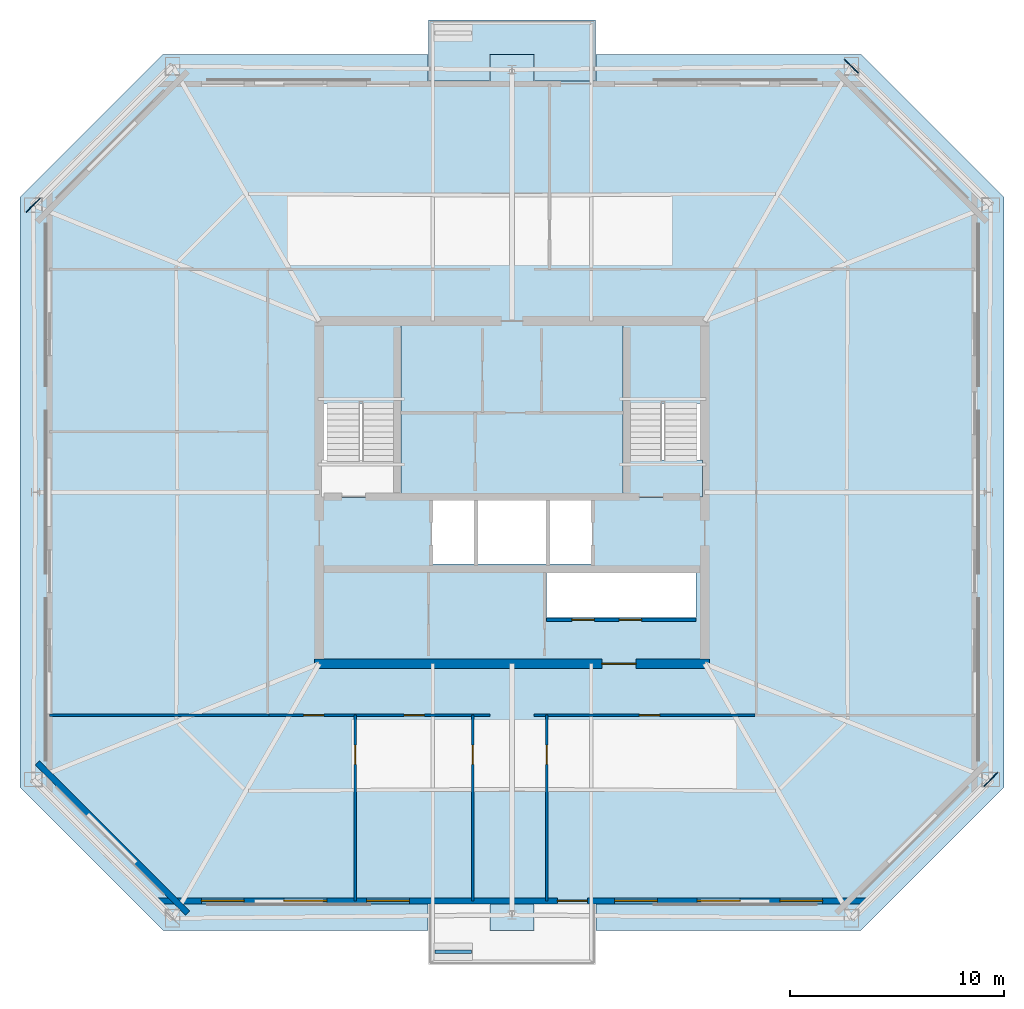
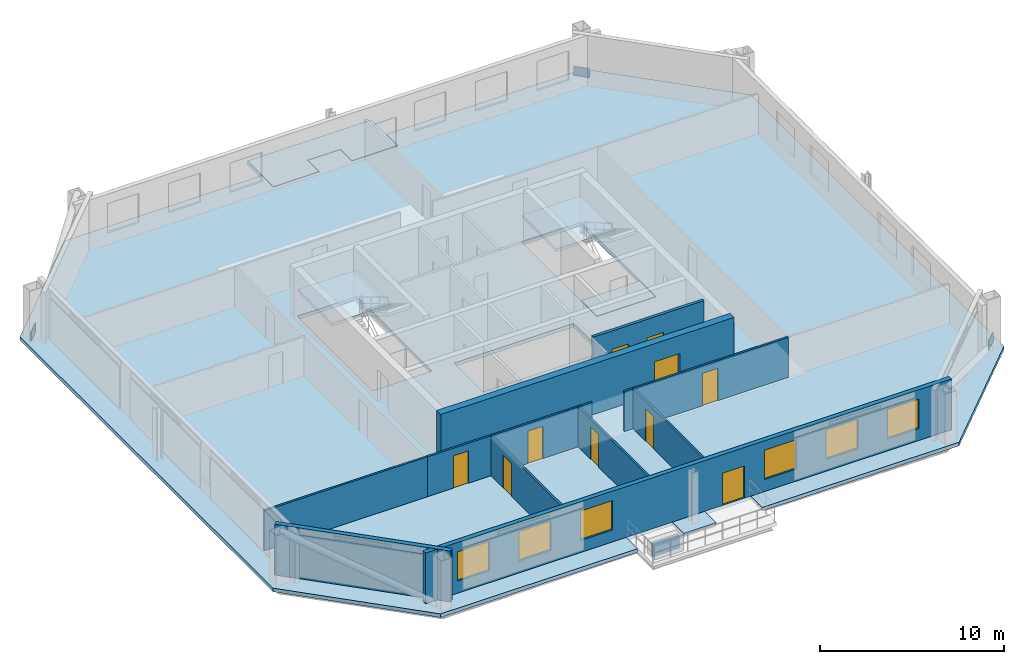
# One storey, part 2 of 7: 11 walls, 10 doors, 6 windows, 5 slabs, 3 plates, 16 openings, 2 elements without a shape of their own.
"""IFC4 building model written with IfcOpenShell, lengths in metres."""

from ifc_helpers import new_model, si_unit, direction, frame, frame_2d, origin, origin_2d, place, context, subcontext, project, spatial, polyline, rectangle, outline, extrude, material, layer, layer_set, type_object, element, fill, aggregate, save


model = new_model("IFC4")

# Units and contexts
model_context = context("Model", 3, precision=1e-05, world=origin(), true_north=direction((0.0, 1.0)))
body_context = subcontext(model_context, "Body", "Model", "MODEL_VIEW")
ifc_project = project(units=[si_unit("LENGTHUNIT", "METRE"), si_unit("AREAUNIT", "SQUARE_METRE"), si_unit("VOLUMEUNIT", "CUBIC_METRE"), si_unit("PLANEANGLEUNIT", "RADIAN"), si_unit("MASSUNIT", "GRAM", prefix="KILO")], contexts=[model_context])

# Site, building, storey
site_placement = place(None, origin())
site = spatial("IfcSite", under=ifc_project, at=site_placement, CompositionType="ELEMENT")
building_placement = place(site_placement, origin())
building = spatial("IfcBuilding", under=site, at=building_placement, Name="Caelvoria Tower", CompositionType="ELEMENT")
storey_placement = place(building_placement, frame((0.0, 0.0, 187.800048828125)))
storey = spatial("IfcBuildingStorey", under=building, at=storey_placement, Name="L49", CompositionType="ELEMENT", Elevation=187.800048828125)

# Plates
ifc_material_1 = material(Name="Structural Steel ASTM A572 Gr.50", Category="steel")
ifc_layer_1 = layer(ifc_material_1, 0.0400390625, Name="Structural Steel ASTM A572 Gr.50")
ifc_layer_set_1 = layer_set([ifc_layer_1], Name="Megaframe Node Gusset Plate 900x600x40 - Structural Steel ASTM A572 Gr.50")
plate_type = type_object("IfcPlateType", Name="Megaframe Node Gusset Plate 900x600x40", PredefinedType="USERDEFINED", material=ifc_layer_set_1)
for number, where, z_axis, x_axis, name in (
    (1, (68.362548828125, 18.59033203125, 0.02001953125), (0.0, 0.0, 1.0), (-0.708405129544, -0.705806044488, 0.0), "Chamfer Mega Brace Gusset L49 SE"),
    (2, (61.851318359375, 51.89697265625, 0.02001953125), (0.0, 0.0, 1.0), (0.708405129544, -0.705806044488, 0.0), "Chamfer Mega Brace Gusset L49 NE"),
    (3, (23.637451171875, 45.40966796875, 0.02001953125), (0.0, 0.0, 1.0), (0.708405129544, 0.705806044488, 0.0), "Chamfer Mega Brace Gusset L49 NW"),
):
    element("IfcPlate", number, at=place(storey_placement, frame(where, z_axis=z_axis, x_axis=x_axis)), inside=storey, type_object=plate_type, Name=name, ObjectType="GUSSET_PLATE", PredefinedType="USERDEFINED", context=body_context, shape_type="SweptSolid", body=[
        extrude(rectangle(XDim=0.89990234375, YDim=0.0400390625, at=origin_2d()), origin(), (0.0, 0.0, 1.0), 0.60009765625),
    ])

# Stair, slab
ifc_material_2 = material(Name="Concrete C40/50", Category="concrete")
stair_type = type_object("IfcStairType", Name="Core Smokeproof Dogleg Stair Concrete C40/50", PredefinedType="HALF_TURN_STAIR", material=ifc_material_2)
stair_1_placement = place(storey_placement, origin())
stair_1 = element("IfcStair", 4, at=stair_1_placement, inside=storey, type_object=stair_type, Name="ST-01 Smokeproof Exit Stair L49", PredefinedType="HALF_TURN_STAIR")
ifc_layer_2 = layer(ifc_material_2, 0.199951171875, Name="Concrete C40/50")
ifc_layer_set_2 = layer_set([ifc_layer_2], Name="Stair Half and Floor Landing Slab 200 Concrete C40/50 - Concrete C40/50")
slab_type_1 = type_object("IfcSlabType", Name="Stair Half and Floor Landing Slab 200 Concrete C40/50", PredefinedType="LANDING", material=ifc_layer_set_2)
slab_1_placement = place(storey_placement, frame((0.0, 0.0, 1.599853515625)))
slab_1 = element("IfcSlab", 5, at=slab_1_placement, type_object=slab_type_1, Name="ST-01 landing 2", PredefinedType="LANDING", context=body_context, shape_type="SweptSolid", body=[
    extrude(outline(polyline([(37.10009765625, 36.14990234375), (40.800048828125, 36.14990234375), (40.800048828125, 39.89990234375), (37.10009765625, 39.89990234375), (37.10009765625, 36.14990234375)])), origin(), (0.0, 0.0, 1.0), 0.2001953125),
])
aggregate(stair_1, [slab_1])

# Stair, slabs
stair_2_placement = place(storey_placement, origin())
stair_2 = element("IfcStair", 6, at=stair_2_placement, inside=storey, type_object=stair_type, Name="ST-02 Smokeproof Exit Stair L49", PredefinedType="HALF_TURN_STAIR")
slab_2_placement = place(storey_placement, frame((0.0, 0.0, -0.199951171875)))
slab_2 = element("IfcSlab", 7, at=slab_2_placement, type_object=slab_type_1, Name="ST-02 landing 1", PredefinedType="LANDING", context=body_context, shape_type="SweptSolid", body=[
    extrude(outline(polyline([(51.199951171875, 31.77001953125), (54.89990234375, 31.77001953125), (54.89990234375, 33.5), (51.199951171875, 33.5), (51.199951171875, 31.77001953125)])), origin(), (0.0, 0.0, 1.0), 0.199951171875),
])
slab_3_placement = place(storey_placement, frame((0.0, 0.0, 1.599853515625)))
slab_3 = element("IfcSlab", 8, at=slab_3_placement, type_object=slab_type_1, Name="ST-02 landing 2", PredefinedType="LANDING", context=body_context, shape_type="SweptSolid", body=[
    extrude(outline(polyline([(51.199951171875, 36.14990234375), (54.89990234375, 36.14990234375), (54.89990234375, 39.89990234375), (51.199951171875, 39.89990234375), (51.199951171875, 36.14990234375)])), origin(), (0.0, 0.0, 1.0), 0.2001953125),
])
aggregate(stair_2, [slab_2, slab_3])

# Slabs
ifc_layer_3 = layer(ifc_material_2, 0.239990234375, Name="Concrete C40/50")
ifc_layer_set_3 = layer_set([ifc_layer_3], Name="Tower Composite Office Slab 240 - Concrete C40/50")
slab_type_2 = type_object("IfcSlabType", Name="Tower Composite Office Slab 240", PredefinedType="FLOOR", material=ifc_layer_set_3)
slab_4_placement = place(storey_placement, frame((0.0, 0.0, -0.239990234375)))
element("IfcSlab", 9, at=slab_4_placement, inside=storey, type_object=slab_type_2, Name="Level L49 Structural Floor Slab", PredefinedType="FLOOR", context=body_context, shape_type="SweptSolid", body=[
    extrude(outline(polyline([(23.02001953125, 45.780029296875), (23.02001953125, 18.219970703125), (29.699951171875, 11.5400390625), (42.080078125, 11.5400390625), (42.080078125, 12.800048828125), (44.97998046875, 12.800048828125), (44.97998046875, 11.5400390625), (47.02001953125, 11.5400390625), (47.02001953125, 12.800048828125), (49.919921875, 12.800048828125), (49.919921875, 11.5400390625), (62.300048828125, 11.5400390625), (68.97998046875, 18.219970703125), (68.97998046875, 45.780029296875), (62.300048828125, 52.4599609375), (49.919921875, 52.4599609375), (49.919921875, 51.199951171875), (47.02001953125, 51.199951171875), (47.02001953125, 52.4599609375), (44.97998046875, 52.4599609375), (44.97998046875, 51.199951171875), (42.080078125, 51.199951171875), (42.080078125, 52.4599609375), (29.699951171875, 52.4599609375), (23.02001953125, 45.780029296875)]), holes=[polyline([(37.080078125, 31.75), (40.820068359375, 31.75), (40.820068359375, 39.919921875), (37.080078125, 39.919921875), (37.080078125, 31.75)]), polyline([(51.179931640625, 31.75), (54.919921875, 31.75), (54.919921875, 39.919921875), (51.179931640625, 39.919921875), (51.179931640625, 31.75)]), polyline([(42.25, 28.64990234375), (49.75, 28.64990234375), (49.75, 31.800048828125), (42.25, 31.800048828125), (42.25, 28.64990234375)]), polyline([(47.60009765625, 26.14990234375), (54.60009765625, 26.14990234375), (54.60009765625, 28.25), (47.60009765625, 28.25), (47.60009765625, 26.14990234375)])]), origin(), (0.0, 0.0, 1.0), 0.239990234375),
])
ifc_material_3 = material(Name="Concrete C45/55", Category="concrete")
ifc_layer_4 = layer(ifc_material_3, 0.25, Name="Concrete C45/55")
ifc_layer_set_4 = layer_set([ifc_layer_4], Name="Tree Balcony Structural Planter Slab 250 - Concrete C45/55")
slab_type_3 = type_object("IfcSlabType", Name="Tree Balcony Structural Planter Slab 250", PredefinedType="FLOOR", material=ifc_layer_set_4)
slab_5_placement = place(storey_placement, frame((0.0, 0.0, -0.25)))
element("IfcSlab", 10, at=slab_5_placement, inside=storey, type_object=slab_type_3, Name="Tree Balcony Slab TB-L49-N", PredefinedType="FLOOR", context=body_context, shape_type="SweptSolid", body=[
    extrude(outline(polyline([(42.10009765625, 54.06005859375), (42.10009765625, 52.4599609375), (42.10009765625, 51.219970703125), (44.9599609375, 51.219970703125), (44.9599609375, 52.4599609375), (47.0400390625, 52.4599609375), (47.0400390625, 51.219970703125), (49.89990234375, 51.219970703125), (49.89990234375, 52.4599609375), (49.89990234375, 54.06005859375), (42.10009765625, 54.06005859375)])), origin(), (0.0, 0.0, 1.0), 0.25),
])

# Wall
ifc_material_4 = material(Name="Bronze-Clad Concrete C40/50", Category="concrete")
ifc_layer_5 = layer(ifc_material_4, 0.179931640625, Name="Bronze-Clad Concrete C40/50")
ifc_layer_set_5 = layer_set([ifc_layer_5], Name="Architectural Planter Kerb Wall 180 - Bronze-Clad Concrete C40/50")
wall_type_1 = type_object("IfcWallType", Name="Architectural Planter Kerb Wall 180", PredefinedType="PARAPET", material=ifc_layer_set_5)
wall_1_placement = place(storey_placement, frame((42.39990234375, 10.5400390625, 0.0), z_axis=(0.0, 0.0, 1.0), x_axis=(1.0, 0.0, 0.0)))
element("IfcWall", 11, at=wall_1_placement, inside=storey, type_object=wall_type_1, Name="Tree Balcony Planter Kerb PLANTER TB-L49-S", PredefinedType="PARAPET", context=body_context, shape_type="SweptSolid", body=[
    extrude(rectangle(XDim=1.7001953125, YDim=0.179931640625, at=frame_2d((0.85009765625, 0.0))), origin(), (0.0, 0.0, 1.0), 0.8798828125),
])

# Wall, openings, windows, door
ifc_material_5 = material(Name="Precast Concrete C40/50 with Bronze Cladding", Category="concrete")
ifc_layer_6 = layer(ifc_material_5, 0.280029296875, Name="Precast Concrete C40/50 with Bronze Cladding")
ifc_layer_set_6 = layer_set([ifc_layer_6], Name="Exterior Precast Concrete C40/50 Bronze-Clad Facade Wall 280 - Precast Concrete C40/50 with Bronze Cladding")
wall_type_2 = type_object("IfcWallType", Name="Exterior Precast Concrete C40/50 Bronze-Clad Facade Wall 280", PredefinedType="STANDARD", material=ifc_layer_set_6)
wall_2_placement = place(storey_placement, frame((29.4599609375, 12.919921875, 0.0), z_axis=(0.0, 0.0, 1.0), x_axis=(1.0, 0.0, 0.0)))
wall_2 = element("IfcWall", 12, at=wall_2_placement, inside=storey, type_object=wall_type_2, Name="Exterior Facade Wall L49-E0", PredefinedType="STANDARD", context=body_context, shape_type="SweptSolid", body=[
    extrude(rectangle(XDim=33.080078125, YDim=0.280029296875, at=frame_2d((16.5400390625, 0.0))), origin(), (0.0, 0.0, 1.0), 3.375),
])
opening_1_placement = place(wall_2_placement, frame((18.6650390625, 0.0, 0.0)))
opening_1 = element("IfcOpeningElement", 13, at=opening_1_placement, cuts=wall_2, Name="Opening ED-04", PredefinedType="OPENING", context=body_context, shape_type="SweptSolid", body=[
    extrude(rectangle(XDim=1.39990234375, YDim=2.14990234375, at=frame_2d((0.699951171875, 1.074951171875))), frame((0.0, 0.14990234375, 0.0), z_axis=(0.0, -1.0, 0.0), x_axis=(1.0, 0.0, 0.0)), (0.0, 0.0, 1.0), 0.300048828125),
])
opening_2_placement = place(wall_2_placement, frame((2.030029296875, 0.0, 0.800048828125)))
opening_2 = element("IfcOpeningElement", 14, at=opening_2_placement, cuts=wall_2, Name="Opening WN-01", PredefinedType="OPENING", context=body_context, shape_type="SweptSolid", body=[
    extrude(rectangle(XDim=2.0, YDim=1.949951171875, at=frame_2d((1.0, 0.97509765625))), frame((0.0, 0.14990234375, 0.0), z_axis=(0.0, -1.0, 0.0), x_axis=(1.0, 0.0, 0.0)), (0.0, 0.0, 1.0), 0.300048828125),
])
opening_3_placement = place(wall_2_placement, frame((5.889892578125, 0.0, 0.800048828125)))
opening_3 = element("IfcOpeningElement", 15, at=opening_3_placement, cuts=wall_2, Name="Opening WN-01", PredefinedType="OPENING", context=body_context, shape_type="SweptSolid", body=[
    extrude(rectangle(XDim=2.0, YDim=1.949951171875, at=frame_2d((1.0, 0.97509765625))), frame((0.0, 0.14990234375, 0.0), z_axis=(0.0, -1.0, 0.0), x_axis=(1.0, 0.0, 0.0)), (0.0, 0.0, 1.0), 0.300048828125),
])
opening_4_placement = place(wall_2_placement, frame((9.75, 0.0, 0.800048828125)))
opening_4 = element("IfcOpeningElement", 16, at=opening_4_placement, cuts=wall_2, Name="Opening WN-01", PredefinedType="OPENING", context=body_context, shape_type="SweptSolid", body=[
    extrude(rectangle(XDim=2.0, YDim=1.949951171875, at=frame_2d((1.0, 0.97509765625))), frame((0.0, 0.14990234375, 0.0), z_axis=(0.0, -1.0, 0.0), x_axis=(1.0, 0.0, 0.0)), (0.0, 0.0, 1.0), 0.300048828125),
])
opening_5_placement = place(wall_2_placement, frame((21.330078125, 0.0, 0.800048828125)))
opening_5 = element("IfcOpeningElement", 17, at=opening_5_placement, cuts=wall_2, Name="Opening WN-01", PredefinedType="OPENING", context=body_context, shape_type="SweptSolid", body=[
    extrude(rectangle(XDim=2.0, YDim=1.949951171875, at=frame_2d((1.0, 0.97509765625))), frame((0.0, 0.14990234375, 0.0), z_axis=(0.0, -1.0, 0.0), x_axis=(1.0, 0.0, 0.0)), (0.0, 0.0, 1.0), 0.300048828125),
])
opening_6_placement = place(wall_2_placement, frame((25.18994140625, 0.0, 0.800048828125)))
opening_6 = element("IfcOpeningElement", 18, at=opening_6_placement, cuts=wall_2, Name="Opening WN-01", PredefinedType="OPENING", context=body_context, shape_type="SweptSolid", body=[
    extrude(rectangle(XDim=2.0, YDim=1.949951171875, at=frame_2d((1.0, 0.97509765625))), frame((0.0, 0.14990234375, 0.0), z_axis=(0.0, -1.0, 0.0), x_axis=(1.0, 0.0, 0.0)), (0.0, 0.0, 1.0), 0.300048828125),
])
opening_7_placement = place(wall_2_placement, frame((29.050048828125, 0.0, 0.800048828125)))
opening_7 = element("IfcOpeningElement", 19, at=opening_7_placement, cuts=wall_2, Name="Opening WN-01", PredefinedType="OPENING", context=body_context, shape_type="SweptSolid", body=[
    extrude(rectangle(XDim=2.0, YDim=1.949951171875, at=frame_2d((1.0, 0.97509765625))), frame((0.0, 0.14990234375, 0.0), z_axis=(0.0, -1.0, 0.0), x_axis=(1.0, 0.0, 0.0)), (0.0, 0.0, 1.0), 0.300048828125),
])
ifc_material_6 = material(Name="Low-E Tinted Glass in Bronze Aluminium Frame", Category="aluminium")
window_type = type_object("IfcWindowType", Name="Tower Office Vision Window 2000x1950", PartitioningType="SINGLE_PANEL", PredefinedType="WINDOW", material=ifc_material_6)
window_1_placement = place(opening_2_placement, origin())
window_1 = element("IfcWindow", 20, at=window_1_placement, inside=storey, type_object=window_type, Name="Facade Window L49-E0-00", OverallHeight=1.949951171875, OverallWidth=2.0, PartitioningType="SINGLE_PANEL", PredefinedType="WINDOW", context=body_context, shape_type="SweptSolid", body=[
    extrude(rectangle(XDim=2.0, YDim=1.949951171875, at=frame_2d((1.0, 0.97509765625))), frame((0.0, 0.030029296875, 0.0), z_axis=(0.0, -1.0, 0.0), x_axis=(1.0, 0.0, 0.0)), (0.0, 0.0, 1.0), 0.06005859375),
])
fill(opening_2, window_1)
window_2_placement = place(opening_3_placement, origin())
window_2 = element("IfcWindow", 21, at=window_2_placement, inside=storey, type_object=window_type, Name="Facade Window L49-E0-01", OverallHeight=1.949951171875, OverallWidth=2.0, PartitioningType="SINGLE_PANEL", PredefinedType="WINDOW", context=body_context, shape_type="SweptSolid", body=[
    extrude(rectangle(XDim=2.0, YDim=1.949951171875, at=frame_2d((1.0, 0.97509765625))), frame((0.0, 0.030029296875, 0.0), z_axis=(0.0, -1.0, 0.0), x_axis=(1.0, 0.0, 0.0)), (0.0, 0.0, 1.0), 0.06005859375),
])
fill(opening_3, window_2)
window_3_placement = place(opening_4_placement, origin())
window_3 = element("IfcWindow", 22, at=window_3_placement, inside=storey, type_object=window_type, Name="Facade Window L49-E0-02", OverallHeight=1.949951171875, OverallWidth=2.0, PartitioningType="SINGLE_PANEL", PredefinedType="WINDOW", context=body_context, shape_type="SweptSolid", body=[
    extrude(rectangle(XDim=2.0, YDim=1.949951171875, at=frame_2d((1.0, 0.97509765625))), frame((0.0, 0.030029296875, 0.0), z_axis=(0.0, -1.0, 0.0), x_axis=(1.0, 0.0, 0.0)), (0.0, 0.0, 1.0), 0.06005859375),
])
fill(opening_4, window_3)
window_4_placement = place(opening_5_placement, origin())
window_4 = element("IfcWindow", 23, at=window_4_placement, inside=storey, type_object=window_type, Name="Facade Window L49-E0-05", OverallHeight=1.949951171875, OverallWidth=2.0, PartitioningType="SINGLE_PANEL", PredefinedType="WINDOW", context=body_context, shape_type="SweptSolid", body=[
    extrude(rectangle(XDim=2.0, YDim=1.949951171875, at=frame_2d((1.0, 0.97509765625))), frame((0.0, 0.030029296875, 0.0), z_axis=(0.0, -1.0, 0.0), x_axis=(1.0, 0.0, 0.0)), (0.0, 0.0, 1.0), 0.06005859375),
])
fill(opening_5, window_4)
window_5_placement = place(opening_6_placement, origin())
window_5 = element("IfcWindow", 24, at=window_5_placement, inside=storey, type_object=window_type, Name="Facade Window L49-E0-06", OverallHeight=1.949951171875, OverallWidth=2.0, PartitioningType="SINGLE_PANEL", PredefinedType="WINDOW", context=body_context, shape_type="SweptSolid", body=[
    extrude(rectangle(XDim=2.0, YDim=1.949951171875, at=frame_2d((1.0, 0.97509765625))), frame((0.0, 0.030029296875, 0.0), z_axis=(0.0, -1.0, 0.0), x_axis=(1.0, 0.0, 0.0)), (0.0, 0.0, 1.0), 0.06005859375),
])
fill(opening_6, window_5)
window_6_placement = place(opening_7_placement, origin())
window_6 = element("IfcWindow", 25, at=window_6_placement, inside=storey, type_object=window_type, Name="Facade Window L49-E0-07", OverallHeight=1.949951171875, OverallWidth=2.0, PartitioningType="SINGLE_PANEL", PredefinedType="WINDOW", context=body_context, shape_type="SweptSolid", body=[
    extrude(rectangle(XDim=2.0, YDim=1.949951171875, at=frame_2d((1.0, 0.97509765625))), frame((0.0, 0.030029296875, 0.0), z_axis=(0.0, -1.0, 0.0), x_axis=(1.0, 0.0, 0.0)), (0.0, 0.0, 1.0), 0.06005859375),
])
fill(opening_7, window_6)
ifc_material_7 = material(Name="Anodised Bronze Aluminium and Laminated Glass", Category="aluminium")
door_type_1 = type_object("IfcDoorType", Name="Tree Balcony Glazed Door 1400x2150", OperationType="NOTDEFINED", PredefinedType="DOOR", material=ifc_material_7)
door_1_placement = place(opening_1_placement, origin())
door_1 = element("IfcDoor", 26, at=door_1_placement, inside=storey, type_object=door_type_1, Name="Tree Balcony Door L49-S", OperationType="SINGLE_SWING_RIGHT", OverallHeight=2.14990234375, OverallWidth=1.39990234375, PredefinedType="DOOR", context=body_context, shape_type="SweptSolid", body=[
    extrude(rectangle(XDim=1.39990234375, YDim=2.14990234375, at=frame_2d((0.699951171875, 1.074951171875))), frame((0.0, 0.02490234375, 0.0), z_axis=(0.0, -1.0, 0.0), x_axis=(1.0, 0.0, 0.0)), (0.0, 0.0, 1.0), 0.050048828125),
])
fill(opening_1, door_1)

# Wall
wall_3_placement = place(storey_placement, frame((23.826171875, 19.365478515625, 0.0), z_axis=(0.0, 0.0, 1.0), x_axis=(0.707106781187, -0.707106781187, 0.0)))
element("IfcWall", 27, at=wall_3_placement, inside=storey, type_object=wall_type_2, Name="Exterior Facade Wall L49-E7", PredefinedType="STANDARD", context=body_context, shape_type="SweptSolid", body=[
    extrude(rectangle(XDim=9.9267578125, YDim=0.280029296875, at=frame_2d((4.96337890625, 0.0))), origin(), (0.0, 0.0, 1.0), 3.375),
])

# Wall, openings, doors
ifc_material_8 = material(Name="Concrete Block and Fireboard Assembly", Category="concrete")
ifc_layer_7 = layer(ifc_material_8, 0.179931640625, Name="Concrete Block and Fireboard Assembly")
ifc_layer_set_7 = layer_set([ifc_layer_7], Name="Fire-Rated Hoistway Partition Wall 180 - Concrete Block and Fireboard Assembly")
wall_type_3 = type_object("IfcWallType", Name="Fire-Rated Hoistway Partition Wall 180", PredefinedType="PARTITIONING", material=ifc_layer_set_7)
wall_4_placement = place(storey_placement, frame((47.60009765625, 26.050048828125, 0.0), z_axis=(0.0, 0.0, 1.0), x_axis=(1.0, 0.0, 0.0)))
wall_4 = element("IfcWall", 28, at=wall_4_placement, inside=storey, type_object=wall_type_3, Name="Interior Partition IW-L49-LFRONT", PredefinedType="PARTITIONING", context=body_context, shape_type="SweptSolid", body=[
    extrude(rectangle(XDim=7.0, YDim=0.179931640625, at=frame_2d((3.5, 0.0))), origin(), (0.0, 0.0, 1.0), 3.375),
])
opening_8_placement = place(wall_4_placement, frame((1.199951171875, 0.0, 0.0)))
opening_8 = element("IfcOpeningElement", 29, at=opening_8_placement, cuts=wall_4, Name="Opening LD-01", PredefinedType="OPENING", context=body_context, shape_type="SweptSolid", body=[
    extrude(rectangle(XDim=1.050048828125, YDim=2.14990234375, at=frame_2d((0.52490234375, 1.074951171875))), frame((0.0, 0.099853515625, 0.0), z_axis=(0.0, -1.0, 0.0), x_axis=(1.0, 0.0, 0.0)), (0.0, 0.0, 1.0), 0.199951171875),
])
opening_9_placement = place(wall_4_placement, frame((3.39990234375, 0.0, 0.0)))
opening_9 = element("IfcOpeningElement", 30, at=opening_9_placement, cuts=wall_4, Name="Opening LD-01", PredefinedType="OPENING", context=body_context, shape_type="SweptSolid", body=[
    extrude(rectangle(XDim=1.050048828125, YDim=2.14990234375, at=frame_2d((0.52490234375, 1.074951171875))), frame((0.0, 0.099853515625, 0.0), z_axis=(0.0, -1.0, 0.0), x_axis=(1.0, 0.0, 0.0)), (0.0, 0.0, 1.0), 0.199951171875),
])
ifc_material_9 = material(Name="Brushed Bronze Stainless Sliding Landing Door", Category="aluminium")
door_type_2 = type_object("IfcDoorType", Name="Lift Landing Sliding Door 1100x2150", OperationType="NOTDEFINED", PredefinedType="DOOR", material=ifc_material_9)
door_2_placement = place(opening_8_placement, origin())
door_2 = element("IfcDoor", 31, at=door_2_placement, inside=storey, type_object=door_type_2, Name="Interior Door LD-L49-PH1", OperationType="SLIDING_TO_LEFT", OverallHeight=2.14990234375, OverallWidth=1.050048828125, PredefinedType="DOOR", context=body_context, shape_type="SweptSolid", body=[
    extrude(rectangle(XDim=1.050048828125, YDim=2.14990234375, at=frame_2d((0.52490234375, 1.074951171875))), frame((0.0, 0.02490234375, 0.0), z_axis=(0.0, -1.0, 0.0), x_axis=(1.0, 0.0, 0.0)), (0.0, 0.0, 1.0), 0.050048828125),
])
fill(opening_8, door_2)
door_3_placement = place(opening_9_placement, origin())
door_3 = element("IfcDoor", 32, at=door_3_placement, inside=storey, type_object=door_type_2, Name="Interior Door LD-L49-PH2", OperationType="SLIDING_TO_RIGHT", OverallHeight=2.14990234375, OverallWidth=1.050048828125, PredefinedType="DOOR", context=body_context, shape_type="SweptSolid", body=[
    extrude(rectangle(XDim=1.050048828125, YDim=2.14990234375, at=frame_2d((0.52490234375, 1.074951171875))), frame((0.0, 0.02490234375, 0.0), z_axis=(0.0, -1.0, 0.0), x_axis=(1.0, 0.0, 0.0)), (0.0, 0.0, 1.0), 0.050048828125),
])
fill(opening_9, door_3)

# Wall, opening, door
ifc_material_10 = material(Name="Acoustic Gypsum Board on Light-Gauge Stud", Category="gypsum")
ifc_layer_8 = layer(ifc_material_10, 0.1201171875, Name="Acoustic Gypsum Board on Light-Gauge Stud")
ifc_layer_set_8 = layer_set([ifc_layer_8], Name="Tenant Suite Acoustic Partition Wall 120 - Acoustic Gypsum Board on Light-Gauge Stud")
wall_type_4 = type_object("IfcWallType", Name="Tenant Suite Acoustic Partition Wall 120", PredefinedType="PARTITIONING", material=ifc_layer_set_8)
wall_5_placement = place(storey_placement, frame((38.687255859375, 21.590087890625, 0.0), z_axis=(0.0, 0.0, 1.0), x_axis=(0.0, -1.0, 0.0)))
wall_5 = element("IfcWall", 33, at=wall_5_placement, inside=storey, type_object=wall_type_4, Name="Interior Partition IW-L49-SD-00-0", PredefinedType="PARTITIONING", context=body_context, shape_type="SweptSolid", body=[
    extrude(rectangle(XDim=8.670166015625, YDim=0.1201171875, at=frame_2d((4.3349609375, 0.0))), origin(), (0.0, 0.0, 1.0), 2.655029296875),
])
opening_10_placement = place(wall_5_placement, frame((1.39990234375, 0.0, 0.0)))
opening_10 = element("IfcOpeningElement", 34, at=opening_10_placement, cuts=wall_5, Name="Opening ID-06", PredefinedType="OPENING", context=body_context, shape_type="SweptSolid", body=[
    extrude(rectangle(XDim=0.89990234375, YDim=2.14990234375, at=frame_2d((0.449951171875, 1.074951171875))), frame((0.0, 0.070068359375, 0.0), z_axis=(0.0, -1.0, 0.0), x_axis=(1.0, 0.0, 0.0)), (0.0, 0.0, 1.0), 0.14013671875),
])
ifc_material_11 = material(Name="Engineered Andean Oak Veneer Door", Category="wood")
door_type_3 = type_object("IfcDoorType", Name="Interior Timber Door 900x2150", OperationType="NOTDEFINED", PredefinedType="DOOR", material=ifc_material_11)
door_4_placement = place(opening_10_placement, origin())
door_4 = element("IfcDoor", 35, at=door_4_placement, inside=storey, type_object=door_type_3, Name="Interior Door DR-L49-SM-00-0", OperationType="SINGLE_SWING_RIGHT", OverallHeight=2.14990234375, OverallWidth=0.89990234375, PredefinedType="DOOR", context=body_context, shape_type="SweptSolid", body=[
    extrude(rectangle(XDim=0.89990234375, YDim=2.14990234375, at=frame_2d((0.449951171875, 1.074951171875))), frame((0.0, 0.02490234375, 0.0), z_axis=(0.0, -1.0, 0.0), x_axis=(1.0, 0.0, 0.0)), (0.0, 0.0, 1.0), 0.050048828125),
])
fill(opening_10, door_4)

wall_6_placement = place(storey_placement, frame((44.17578125, 21.590087890625, 0.0), z_axis=(0.0, 0.0, 1.0), x_axis=(0.0, -1.0, 0.0)))
wall_6 = element("IfcWall", 36, at=wall_6_placement, inside=storey, type_object=wall_type_4, Name="Interior Partition IW-L49-SD-01-0", PredefinedType="PARTITIONING", context=body_context, shape_type="SweptSolid", body=[
    extrude(rectangle(XDim=8.670166015625, YDim=0.1201171875, at=frame_2d((4.3349609375, 0.0))), origin(), (0.0, 0.0, 1.0), 2.655029296875),
])
opening_11_placement = place(wall_6_placement, frame((1.39990234375, 0.0, 0.0)))
opening_11 = element("IfcOpeningElement", 37, at=opening_11_placement, cuts=wall_6, Name="Opening ID-06", PredefinedType="OPENING", context=body_context, shape_type="SweptSolid", body=[
    extrude(rectangle(XDim=0.89990234375, YDim=2.14990234375, at=frame_2d((0.449951171875, 1.074951171875))), frame((0.0, 0.070068359375, 0.0), z_axis=(0.0, -1.0, 0.0), x_axis=(1.0, 0.0, 0.0)), (0.0, 0.0, 1.0), 0.14013671875),
])
door_5_placement = place(opening_11_placement, origin())
door_5 = element("IfcDoor", 38, at=door_5_placement, inside=storey, type_object=door_type_3, Name="Interior Door DR-L49-SM-01-0", OperationType="SINGLE_SWING_LEFT", OverallHeight=2.14990234375, OverallWidth=0.89990234375, PredefinedType="DOOR", context=body_context, shape_type="SweptSolid", body=[
    extrude(rectangle(XDim=0.89990234375, YDim=2.14990234375, at=frame_2d((0.449951171875, 1.074951171875))), frame((0.0, 0.02490234375, 0.0), z_axis=(0.0, -1.0, 0.0), x_axis=(1.0, 0.0, 0.0)), (0.0, 0.0, 1.0), 0.050048828125),
])
fill(opening_11, door_5)

wall_7_placement = place(storey_placement, frame((47.628662109375, 21.590087890625, 0.0), z_axis=(0.0, 0.0, 1.0), x_axis=(0.0, -1.0, 0.0)))
wall_7 = element("IfcWall", 39, at=wall_7_placement, inside=storey, type_object=wall_type_4, Name="Interior Partition IW-L49-SD-02-0", PredefinedType="PARTITIONING", context=body_context, shape_type="SweptSolid", body=[
    extrude(rectangle(XDim=8.670166015625, YDim=0.1201171875, at=frame_2d((4.3349609375, 0.0))), origin(), (0.0, 0.0, 1.0), 2.655029296875),
])
opening_12_placement = place(wall_7_placement, frame((1.39990234375, 0.0, 0.0)))
opening_12 = element("IfcOpeningElement", 40, at=opening_12_placement, cuts=wall_7, Name="Opening ID-06", PredefinedType="OPENING", context=body_context, shape_type="SweptSolid", body=[
    extrude(rectangle(XDim=0.89990234375, YDim=2.14990234375, at=frame_2d((0.449951171875, 1.074951171875))), frame((0.0, 0.070068359375, 0.0), z_axis=(0.0, -1.0, 0.0), x_axis=(1.0, 0.0, 0.0)), (0.0, 0.0, 1.0), 0.14013671875),
])
door_6_placement = place(opening_12_placement, origin())
door_6 = element("IfcDoor", 41, at=door_6_placement, inside=storey, type_object=door_type_3, Name="Interior Door DR-L49-SM-02-0", OperationType="SINGLE_SWING_RIGHT", OverallHeight=2.14990234375, OverallWidth=0.89990234375, PredefinedType="DOOR", context=body_context, shape_type="SweptSolid", body=[
    extrude(rectangle(XDim=0.89990234375, YDim=2.14990234375, at=frame_2d((0.449951171875, 1.074951171875))), frame((0.0, 0.02490234375, 0.0), z_axis=(0.0, -1.0, 0.0), x_axis=(1.0, 0.0, 0.0)), (0.0, 0.0, 1.0), 0.050048828125),
])
fill(opening_12, door_6)

# Wall, openings, doors
wall_8_placement = place(storey_placement, frame((34.64990234375, 21.590087890625, 0.0), z_axis=(0.0, 0.0, 1.0), x_axis=(1.0, 0.0, 0.0)))
wall_8 = element("IfcWall", 42, at=wall_8_placement, inside=storey, type_object=wall_type_4, Name="Interior Partition IW-L49-SCW-0", PredefinedType="PARTITIONING", context=body_context, shape_type="SweptSolid", body=[
    extrude(rectangle(XDim=10.330078125, YDim=0.1201171875, at=frame_2d((5.1650390625, 0.0))), origin(), (0.0, 0.0, 1.0), 2.655029296875),
])
opening_13_placement = place(wall_8_placement, frame((1.613525390625, 0.0, 0.0)))
opening_13 = element("IfcOpeningElement", 43, at=opening_13_placement, cuts=wall_8, Name="Opening ID-05", PredefinedType="OPENING", context=body_context, shape_type="SweptSolid", body=[
    extrude(rectangle(XDim=0.949951171875, YDim=2.14990234375, at=frame_2d((0.47509765625, 1.074951171875))), frame((0.0, 0.070068359375, 0.0), z_axis=(0.0, -1.0, 0.0), x_axis=(1.0, 0.0, 0.0)), (0.0, 0.0, 1.0), 0.14013671875),
])
opening_14_placement = place(wall_8_placement, frame((6.306396484375, 0.0, 0.0)))
opening_14 = element("IfcOpeningElement", 44, at=opening_14_placement, cuts=wall_8, Name="Opening ID-05", PredefinedType="OPENING", context=body_context, shape_type="SweptSolid", body=[
    extrude(rectangle(XDim=0.949951171875, YDim=2.14990234375, at=frame_2d((0.47509765625, 1.074951171875))), frame((0.0, 0.070068359375, 0.0), z_axis=(0.0, -1.0, 0.0), x_axis=(1.0, 0.0, 0.0)), (0.0, 0.0, 1.0), 0.14013671875),
])
door_type_4 = type_object("IfcDoorType", Name="Interior Timber Door 950x2150", OperationType="NOTDEFINED", PredefinedType="DOOR", material=ifc_material_11)
door_7_placement = place(opening_13_placement, origin())
door_7 = element("IfcDoor", 45, at=door_7_placement, inside=storey, type_object=door_type_4, Name="Interior Door DR-L49-SC-00-0", OperationType="SINGLE_SWING_RIGHT", OverallHeight=2.14990234375, OverallWidth=0.949951171875, PredefinedType="DOOR", context=body_context, shape_type="SweptSolid", body=[
    extrude(rectangle(XDim=0.949951171875, YDim=2.14990234375, at=frame_2d((0.47509765625, 1.074951171875))), frame((0.0, 0.02490234375, 0.0), z_axis=(0.0, -1.0, 0.0), x_axis=(1.0, 0.0, 0.0)), (0.0, 0.0, 1.0), 0.050048828125),
])
fill(opening_13, door_7)
door_8_placement = place(opening_14_placement, origin())
door_8 = element("IfcDoor", 46, at=door_8_placement, inside=storey, type_object=door_type_4, Name="Interior Door DR-L49-SC-01-0", OperationType="SINGLE_SWING_LEFT", OverallHeight=2.14990234375, OverallWidth=0.949951171875, PredefinedType="DOOR", context=body_context, shape_type="SweptSolid", body=[
    extrude(rectangle(XDim=0.949951171875, YDim=2.14990234375, at=frame_2d((0.47509765625, 1.074951171875))), frame((0.0, 0.02490234375, 0.0), z_axis=(0.0, -1.0, 0.0), x_axis=(1.0, 0.0, 0.0)), (0.0, 0.0, 1.0), 0.050048828125),
])
fill(opening_14, door_8)

# Wall, opening, door
wall_9_placement = place(storey_placement, frame((47.02001953125, 21.590087890625, 0.0), z_axis=(0.0, 0.0, 1.0), x_axis=(1.0, 0.0, 0.0)))
wall_9 = element("IfcWall", 47, at=wall_9_placement, inside=storey, type_object=wall_type_4, Name="Interior Partition IW-L49-SCW-1", PredefinedType="PARTITIONING", context=body_context, shape_type="SweptSolid", body=[
    extrude(rectangle(XDim=10.330078125, YDim=0.1201171875, at=frame_2d((5.1650390625, 0.0))), origin(), (0.0, 0.0, 1.0), 2.655029296875),
])
opening_15_placement = place(wall_9_placement, frame((4.92431640625, 0.0, 0.0)))
opening_15 = element("IfcOpeningElement", 48, at=opening_15_placement, cuts=wall_9, Name="Opening ID-05", PredefinedType="OPENING", context=body_context, shape_type="SweptSolid", body=[
    extrude(rectangle(XDim=0.949951171875, YDim=2.14990234375, at=frame_2d((0.47509765625, 1.074951171875))), frame((0.0, 0.070068359375, 0.0), z_axis=(0.0, -1.0, 0.0), x_axis=(1.0, 0.0, 0.0)), (0.0, 0.0, 1.0), 0.14013671875),
])
door_9_placement = place(opening_15_placement, origin())
door_9 = element("IfcDoor", 49, at=door_9_placement, inside=storey, type_object=door_type_4, Name="Interior Door DR-L49-SC-03-0", OperationType="SINGLE_SWING_LEFT", OverallHeight=2.14990234375, OverallWidth=0.949951171875, PredefinedType="DOOR", context=body_context, shape_type="SweptSolid", body=[
    extrude(rectangle(XDim=0.949951171875, YDim=2.14990234375, at=frame_2d((0.47509765625, 1.074951171875))), frame((0.0, 0.02490234375, 0.0), z_axis=(0.0, -1.0, 0.0), x_axis=(1.0, 0.0, 0.0)), (0.0, 0.0, 1.0), 0.050048828125),
])
fill(opening_15, door_9)

# Wall
wall_10_placement = place(storey_placement, frame((34.64990234375, 21.590087890625, 0.0), z_axis=(0.0, 0.0, 1.0), x_axis=(-1.0, 0.0, 0.0)))
element("IfcWall", 50, at=wall_10_placement, inside=storey, type_object=wall_type_4, Name="Interior Partition IW-L49-BSW-0", PredefinedType="PARTITIONING", context=body_context, shape_type="SweptSolid", body=[
    extrude(rectangle(XDim=10.25, YDim=0.1201171875, at=frame_2d((5.125, 0.0))), origin(), (0.0, 0.0, 1.0), 2.655029296875),
])

# Wall, opening, door
ifc_material_12 = material(Name="Concrete C50/60", Category="concrete")
ifc_layer_9 = layer(ifc_material_12, 0.449951171875, Name="Concrete C50/60")
ifc_layer_set_9 = layer_set([ifc_layer_9], Name="Upper Core Shear Wall 450 - Concrete C50/60")
wall_type_5 = type_object("IfcWallType", Name="Upper Core Shear Wall 450", PredefinedType="SHEAR", material=ifc_layer_set_9)
wall_11_placement = place(storey_placement, frame((36.77490234375, 24.0, 0.0), z_axis=(0.0, 0.0, 1.0), x_axis=(1.0, 0.0, 0.0)))
wall_11 = element("IfcWall", 51, at=wall_11_placement, inside=storey, type_object=wall_type_5, Name="Core Shear Wall L49 S", PredefinedType="SHEAR", context=body_context, shape_type="SweptSolid", body=[
    extrude(rectangle(XDim=18.4501953125, YDim=0.449951171875, at=frame_2d((9.22509765625, 0.0))), origin(), (0.0, 0.0, 1.0), 3.35986328125),
])
opening_16_placement = place(wall_11_placement, frame((13.425048828125, 0.0, 0.0)))
opening_16 = element("IfcOpeningElement", 52, at=opening_16_placement, cuts=wall_11, Name="Opening ID-08", PredefinedType="OPENING", context=body_context, shape_type="SweptSolid", body=[
    extrude(rectangle(XDim=1.60009765625, YDim=2.14990234375, at=frame_2d((0.800048828125, 1.074951171875))), frame((0.0, 0.23486328125, 0.0), z_axis=(0.0, -1.0, 0.0), x_axis=(1.0, 0.0, 0.0)), (0.0, 0.0, 1.0), 0.469970703125),
])
ifc_material_13 = material(Name="Bronze-Framed Fire-Rated Glazed Double Door", Category="aluminium")
door_type_5 = type_object("IfcDoorType", Name="Double Lobby Glazed Door 1600x2200", OperationType="NOTDEFINED", PredefinedType="DOOR", material=ifc_material_13)
door_10_placement = place(opening_16_placement, origin())
door_10 = element("IfcDoor", 53, at=door_10_placement, inside=storey, type_object=door_type_5, Name="Core Door DR-L49-LLOB-S2", OperationType="DOUBLE_DOOR_SINGLE_SWING", OverallHeight=2.14990234375, OverallWidth=1.60009765625, PredefinedType="DOOR", context=body_context, shape_type="SweptSolid", body=[
    extrude(rectangle(XDim=1.60009765625, YDim=2.14990234375, at=frame_2d((0.800048828125, 1.074951171875))), frame((0.0, 0.02490234375, 0.0), z_axis=(0.0, -1.0, 0.0), x_axis=(1.0, 0.0, 0.0)), (0.0, 0.0, 1.0), 0.050048828125),
])
fill(opening_16, door_10)

save(model, "model.ifc")
